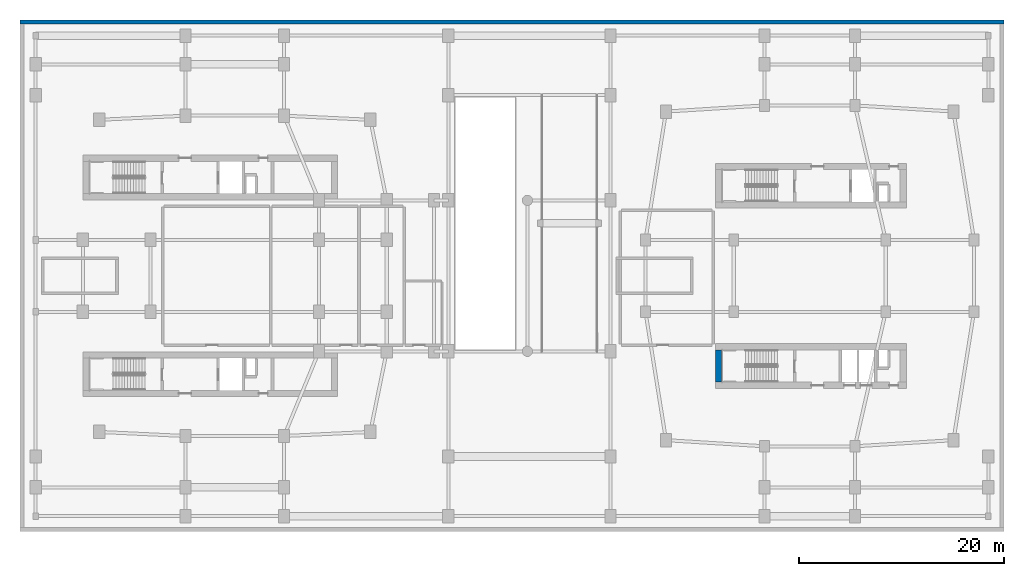
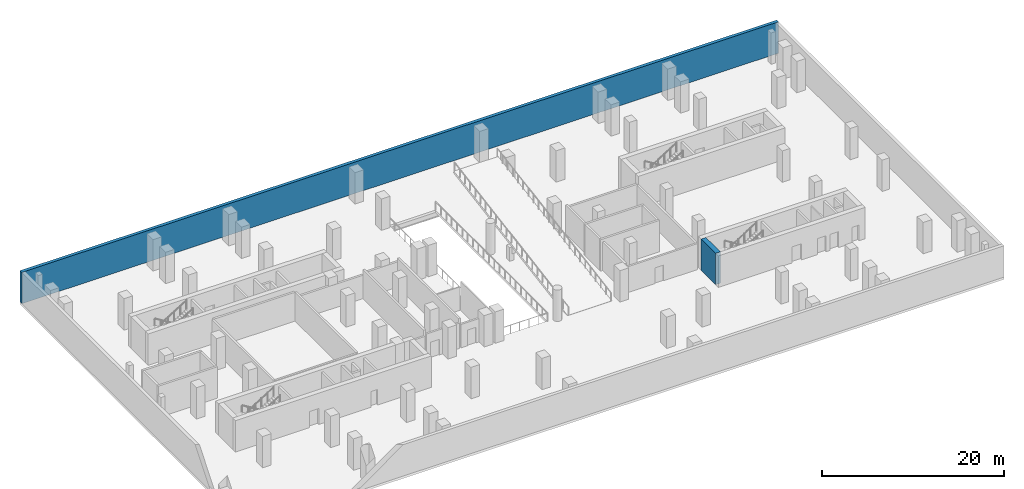
# One storey, part 7 of 13: 2 walls.
"""IFC4 building model written with IfcOpenShell, lengths in metres."""

from ifc_helpers import new_model, si_unit, derived_unit, direction, frame, frame_2d, origin, place, context, subcontext, project, spatial, rectangle, extrude, material, layer, layer_set, type_object, element, save


model = new_model("IFC4")

# Units and contexts
model_context = context("Model", 3, precision=1e-05, world=origin(), true_north=direction((0.0, 1.0)))
body_context = subcontext(model_context, "Body", "Model", "MODEL_VIEW")
ifc_project = project(units=[si_unit("LENGTHUNIT", "METRE"), si_unit("AREAUNIT", "SQUARE_METRE"), si_unit("VOLUMEUNIT", "CUBIC_METRE"), si_unit("PLANEANGLEUNIT", "RADIAN"), si_unit("MASSUNIT", "GRAM", prefix="KILO"), derived_unit("THERMALTRANSMITTANCEUNIT", [(si_unit("POWERUNIT", "WATT"), 1), (si_unit("LENGTHUNIT", "METRE"), -2), (si_unit("THERMODYNAMICTEMPERATUREUNIT", "KELVIN"), -1)])], contexts=[model_context])

# Site, building, storey
site_placement = place(None, origin())
site = spatial("IfcSite", under=ifc_project, at=site_placement, CompositionType="ELEMENT")
building_placement = place(site_placement, origin())
building = spatial("IfcBuilding", under=site, at=building_placement, Name="Kivonza Crest Hotel", CompositionType="ELEMENT")
storey_placement = place(building_placement, frame((0.0, 0.0, -4.199951171875)))
storey = spatial("IfcBuildingStorey", under=building, at=storey_placement, Name="B1", CompositionType="ELEMENT", Elevation=-4.199951171875)

# Walls
ifc_material_1 = material(Name="Concrete C60/75", Category="concrete")
ifc_layer_1 = layer(ifc_material_1, 0.60009765625)
ifc_layer_set_1 = layer_set([ifc_layer_1], Name="Concrete C60/75")
wall_type_1 = type_object("IfcWallType", Name="WL-CORE-600", PredefinedType="SHEAR", material=ifc_layer_set_1)
wall_1_placement = place(storey_placement, frame((68.10009765625, 14.639892578125, 0.0), z_axis=(0.0, 0.0, 1.0), x_axis=(0.0, 1.0, 0.0)))
element("IfcWall", 1, at=wall_1_placement, inside=storey, type_object=wall_type_1, Name="Core wall T2-S West B1", PredefinedType="SHEAR", context=body_context, shape_type="SweptSolid", body=[
    extrude(rectangle(XDim=3.16015625, YDim=0.60009765625, at=frame_2d((1.580078125, 0.0))), origin(), (0.0, 0.0, 1.0), 4.199951171875),
])
ifc_material_2 = material(Name="Concrete C40/50", Category="concrete")
ifc_layer_2 = layer(ifc_material_2, 0.39990234375)
ifc_layer_set_2 = layer_set([ifc_layer_2], Name="Concrete C40/50")
wall_type_2 = type_object("IfcWallType", Name="WL-RET-400", PredefinedType="USERDEFINED", material=ifc_layer_set_2)
wall_2_placement = place(storey_placement, frame((95.919921875, 49.719970703125, 0.0), z_axis=(0.0, 0.0, 1.0), x_axis=(-1.0, 0.0, 0.0)))
element("IfcWall", 2, at=wall_2_placement, inside=storey, type_object=wall_type_2, Name="B1 North basement retaining wall", ObjectType="RETAININGWALL", PredefinedType="USERDEFINED", context=body_context, shape_type="SweptSolid", body=[
    extrude(rectangle(XDim=95.83984375, YDim=0.39990234375, at=frame_2d((47.919921875, 0.0))), origin(), (0.0, 0.0, 1.0), 4.199951171875),
])

save(model, "model.ifc")
